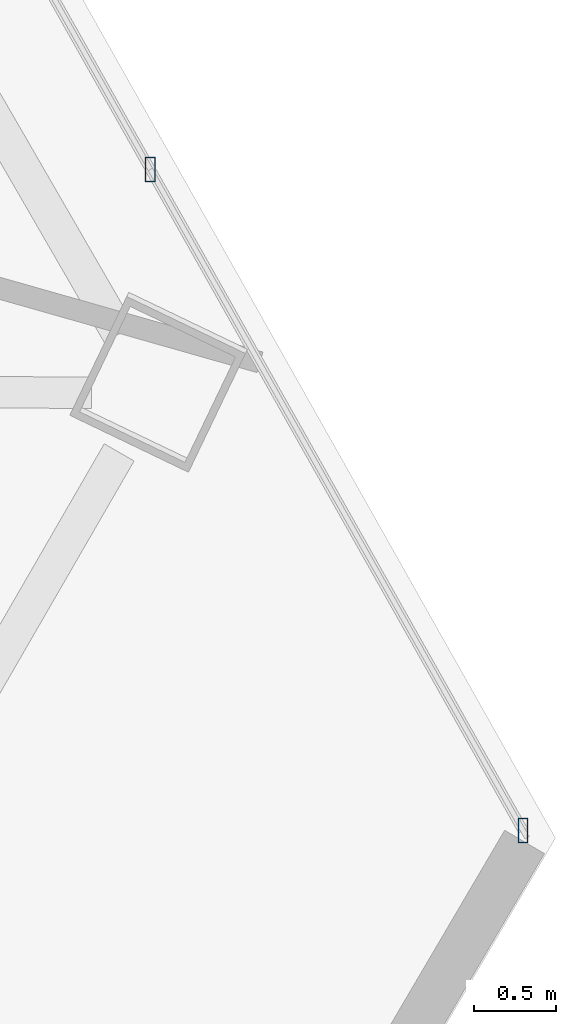
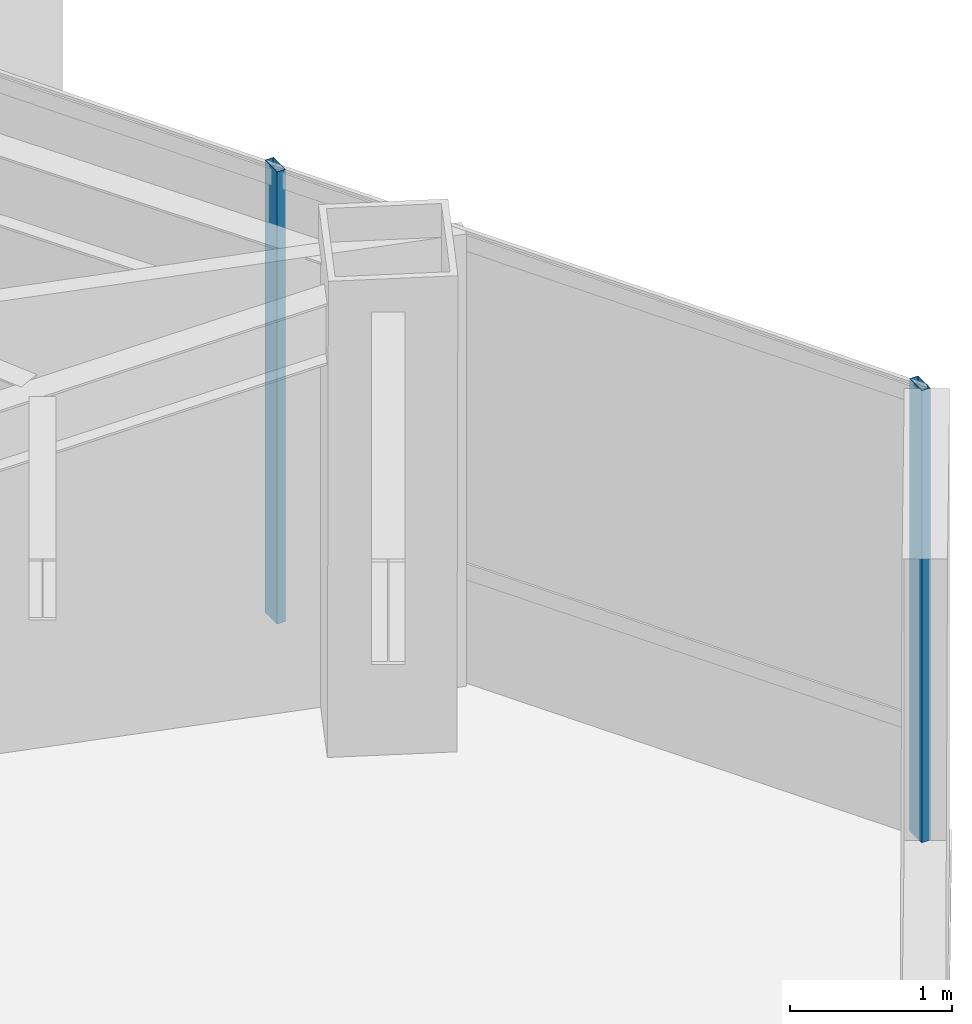
# One storey, part 22 of 42: 2 members, 1 element without a shape of its own.
"""IFC4 building model written with IfcOpenShell, lengths in metres."""

from ifc_helpers import new_model, si_unit, direction, frame, origin, origin_2d, place, context, subcontext, project, spatial, hollow_rectangle, extrude, source, transform, mapped, material, material_profile, profile_set, type_object, type_shapes, element, aggregate, save


model = new_model("IFC4")

# Units and contexts
model_context = context("Model", 3, precision=1e-05, world=origin(), true_north=direction((0.0, 1.0)))
body_context = subcontext(model_context, "Body", "Model", "MODEL_VIEW")
ifc_project = project(units=[si_unit("LENGTHUNIT", "METRE"), si_unit("AREAUNIT", "SQUARE_METRE"), si_unit("VOLUMEUNIT", "CUBIC_METRE"), si_unit("PLANEANGLEUNIT", "RADIAN"), si_unit("MASSUNIT", "GRAM", prefix="KILO")], contexts=[model_context])

# Site, building, storey
site_placement = place(None, origin())
site = spatial("IfcSite", under=ifc_project, at=site_placement, CompositionType="ELEMENT")
building_placement = place(site_placement, origin())
building = spatial("IfcBuilding", under=site, at=building_placement, Name="Caelisora Broadcast Tower", CompositionType="ELEMENT")
storey_placement = place(building_placement, frame((0.0, 0.0, 191.35009765625)))
storey = spatial("IfcBuildingStorey", under=building, at=storey_placement, Name="L50", CompositionType="ELEMENT", Elevation=191.35009765625)

# Curtain wall, members
ifc_material_1 = material(Name="Unitised Aluminium and Low-E Glass Curtain Wall", Category="glass")
curtain_wall_type = type_object("IfcCurtainWallType", Name="CW-Z4", PredefinedType="NOTDEFINED", material=ifc_material_1)
curtain_wall_placement = place(storey_placement, origin())
curtain_wall = element("IfcCurtainWall", 1, at=curtain_wall_placement, inside=storey, type_object=curtain_wall_type, Name="L50 curtain wall CW-Z4", PredefinedType="NOTDEFINED")
ifc_material_2 = material(Name="Aluminium 6063-T6 Anodised Terracotta Bronze", Category="aluminium")
ifc_material_profile = material_profile(ifc_material_2, hollow_rectangle(XDim=0.06005859375, YDim=0.14990234375, WallThickness=0.00341796875, at=origin_2d()), Name="Aluminium 6063-T6 Anodised Terracotta Bronze")
ifc_profile_set = profile_set([ifc_material_profile], Name="Aluminium 6063-T6 Anodised Terracotta Bronze")
member_type = type_object("IfcMemberType", Name="CWM-03", PredefinedType="MULLION", material=ifc_profile_set)
shared_shape = source(origin(), body_context, "Body", "SweptSolid", [
    extrude(hollow_rectangle(XDim=0.06005859375, YDim=0.14990234375, WallThickness=0.00341796875, at=origin_2d()), origin(), (0.0, 0.0, 1.0), 3.39990234375),
])
type_shapes(member_type, [shared_shape])
member_1_placement = place(storey_placement, frame((60.18115234375, 18.677001953125, 0.0), z_axis=(0.0, 0.0, 1.0), x_axis=(1.0, 0.0, 0.0)))
member_1 = element("IfcMember", 2, at=member_1_placement, type_object=member_type, Name="L50-CW-B03 mullion #2", PredefinedType="MULLION", context=body_context, shape_type="MappedRepresentation", body=[
    mapped(shared_shape, transform((0.0, 0.0, 0.0), scale=1.0)),
])
member_2_placement = place(storey_placement, frame((62.4462890625, 14.65869140625, 0.0), z_axis=(0.0, 0.0, 1.0), x_axis=(1.0, 0.0, 0.0)))
member_2 = element("IfcMember", 3, at=member_2_placement, type_object=member_type, Name="L50-CW-B03 mullion #3", PredefinedType="MULLION", context=body_context, shape_type="MappedRepresentation", body=[
    mapped(shared_shape, transform((0.0, 0.0, 0.0), scale=1.0)),
])
aggregate(curtain_wall, [member_1, member_2])

save(model, "model.ifc")
